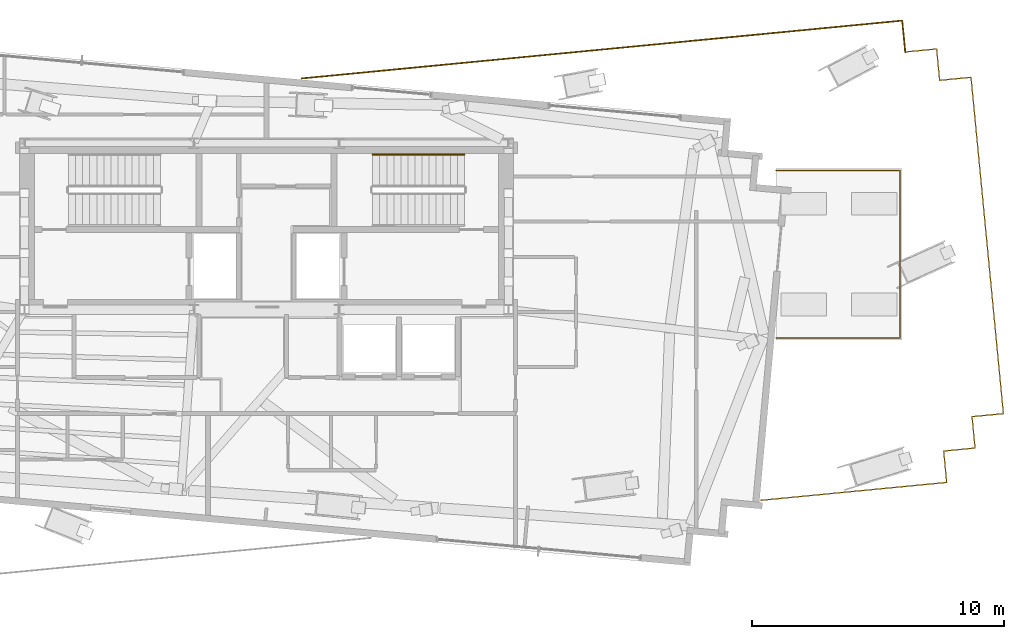
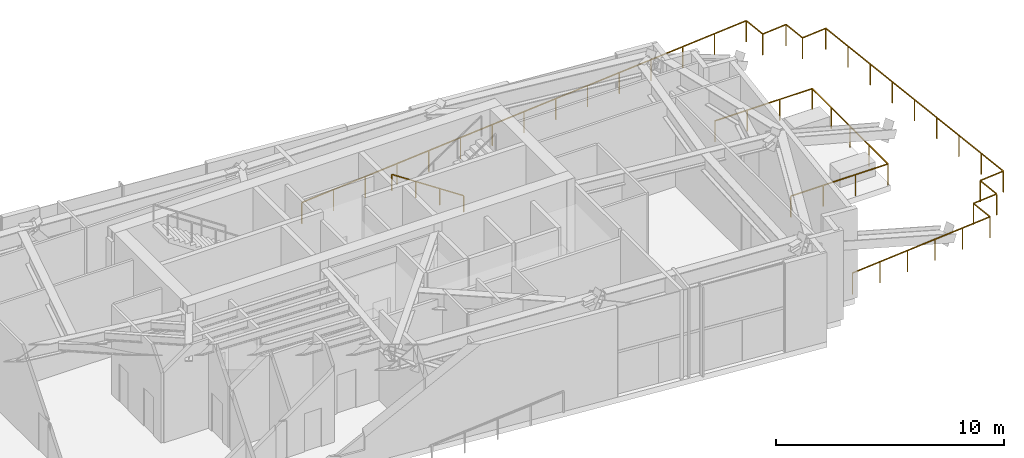
# One storey, part 19 of 20: 4 railings.
"""IFC4 building model written with IfcOpenShell, lengths in metres."""

from ifc_helpers import new_model, si_unit, direction, frame, origin, origin_2d, place, context, subcontext, project, spatial, rectangle, extrude, source, transform, mapped, material, type_object, type_shapes, element, save


model = new_model("IFC4")

# Units and contexts
model_context = context("Model", 3, precision=1e-05, world=origin(), true_north=direction((0.0, 1.0)))
body_context = subcontext(model_context, "Body", "Model", "MODEL_VIEW")
ifc_project = project(units=[si_unit("LENGTHUNIT", "METRE"), si_unit("AREAUNIT", "SQUARE_METRE"), si_unit("VOLUMEUNIT", "CUBIC_METRE"), si_unit("PLANEANGLEUNIT", "RADIAN"), si_unit("MASSUNIT", "GRAM", prefix="KILO")], contexts=[model_context])

# Site, building, storey
site_placement = place(None, origin())
site = spatial("IfcSite", under=ifc_project, at=site_placement, CompositionType="ELEMENT")
building_placement = place(site_placement, origin())
building = spatial("IfcBuilding", under=site, at=building_placement, Name="Astriad Promenade Condominiums", CompositionType="ELEMENT")
storey_placement = place(building_placement, frame((0.0, 0.0, 211.39990234375)))
storey = spatial("IfcBuildingStorey", under=building, at=storey_placement, Name="L61", CompositionType="ELEMENT", Elevation=211.39990234375)

# Railings
ifc_material_1 = material(Name="Anodised Aluminium and Glass Terrace Guardrail", Category="aluminium")
railing_type_1 = type_object("IfcRailingType", Name="GRD-TERR-1150", PredefinedType="GUARDRAIL", material=ifc_material_1)
shared_shape_1 = source(origin(), body_context, "Body", "SweptSolid", [
    extrude(rectangle(XDim=0.048095703125, YDim=0.048095703125, at=origin_2d()), frame((0.0, 0.0, 1.1259765625), z_axis=(0.995392196914, 0.095887300115, 0.0), x_axis=(-0.095887300115, 0.995392196914, 0.0)), (0.0, 0.0, 1.0), 1.250244140625),
    extrude(rectangle(XDim=0.048095703125, YDim=0.048095703125, at=origin_2d()), frame((1.244384765625, 0.119873046875, 1.1259765625), z_axis=(0.095887300115, -0.995392196914, 0.0), x_axis=(0.995392196914, 0.095887300115, 0.0)), (0.0, 0.0, 1.0), 1.250244140625),
    extrude(rectangle(XDim=0.048095703125, YDim=0.048095703125, at=origin_2d()), frame((1.3642578125, -1.12451171875, 1.1259765625), z_axis=(0.995390400822, 0.09590594325, 0.0), x_axis=(-0.09590594325, 0.995390400822, 0.0)), (0.0, 0.0, 1.0), 1.25),
    extrude(rectangle(XDim=0.048095703125, YDim=0.048095703125, at=origin_2d()), frame((2.6083984375, -1.004638671875, 1.1259765625), z_axis=(0.095851964938, -0.99539560016, 0.0), x_axis=(0.99539560016, 0.095851964938, 0.0)), (0.0, 0.0, 1.0), 13.400146484375),
    extrude(rectangle(XDim=0.048095703125, YDim=0.048095703125, at=origin_2d()), frame((3.892822265625, -14.343017578125, 1.1259765625), z_axis=(-0.995392196914, -0.095887300115, 0.0), x_axis=(0.095887300115, -0.995392196914, 0.0)), (0.0, 0.0, 1.0), 1.250244140625),
    extrude(rectangle(XDim=0.048095703125, YDim=0.048095703125, at=origin_2d()), frame((2.6484375, -14.462890625, 1.1259765625), z_axis=(0.09590594325, -0.995390400822, 0.0), x_axis=(0.995390400822, 0.09590594325, 0.0)), (0.0, 0.0, 1.0), 1.25),
    extrude(rectangle(XDim=0.048095703125, YDim=0.048095703125, at=origin_2d()), frame((2.768310546875, -15.70703125, 1.1259765625), z_axis=(-0.995390400822, -0.09590594325, 0.0), x_axis=(0.09590594325, -0.995390400822, 0.0)), (0.0, 0.0, 1.0), 1.25),
    extrude(rectangle(XDim=0.048095703125, YDim=0.048095703125, at=origin_2d()), frame((1.524169921875, -15.826904296875, 1.1259765625), z_axis=(0.095712406644, -0.9954090291, 0.0), x_axis=(0.9954090291, 0.095712406644, 0.0)), (0.0, 0.0, 1.0), 1.25),
    extrude(rectangle(XDim=0.048095703125, YDim=0.048095703125, at=origin_2d()), frame((1.643798828125, -17.071044921875, 1.1259765625), z_axis=(-0.995394461534, -0.095863788513, 0.0), x_axis=(0.095863788513, -0.995394461534, 0.0)), (0.0, 0.0, 1.0), 7.406005859375),
    extrude(rectangle(XDim=0.0419921875, YDim=0.0419921875, at=origin_2d()), origin(), (0.0, 0.0, 1.0), 1.101806640625),
    extrude(rectangle(XDim=0.0419921875, YDim=0.0419921875, at=origin_2d()), frame((1.244384765625, 0.119873046875, 0.0)), (0.0, 0.0, 1.0), 1.101806640625),
    extrude(rectangle(XDim=0.0419921875, YDim=0.0419921875, at=origin_2d()), frame((1.3642578125, -1.12451171875, 0.0)), (0.0, 0.0, 1.0), 1.101806640625),
    extrude(rectangle(XDim=0.0419921875, YDim=0.0419921875, at=origin_2d()), frame((2.6083984375, -1.004638671875, 0.0)), (0.0, 0.0, 1.0), 1.101806640625),
    extrude(rectangle(XDim=0.0419921875, YDim=0.0419921875, at=origin_2d()), frame((2.76904296875, -2.671875, 0.0)), (0.0, 0.0, 1.0), 1.101806640625),
    extrude(rectangle(XDim=0.0419921875, YDim=0.0419921875, at=origin_2d()), frame((2.929443359375, -4.33935546875, 0.0)), (0.0, 0.0, 1.0), 1.101806640625),
    extrude(rectangle(XDim=0.0419921875, YDim=0.0419921875, at=origin_2d()), frame((3.090087890625, -6.006591796875, 0.0)), (0.0, 0.0, 1.0), 1.101806640625),
    extrude(rectangle(XDim=0.0419921875, YDim=0.0419921875, at=origin_2d()), frame((3.25048828125, -7.673828125, 0.0)), (0.0, 0.0, 1.0), 1.101806640625),
    extrude(rectangle(XDim=0.0419921875, YDim=0.0419921875, at=origin_2d()), frame((3.4111328125, -9.341064453125, 0.0)), (0.0, 0.0, 1.0), 1.101806640625),
    extrude(rectangle(XDim=0.0419921875, YDim=0.0419921875, at=origin_2d()), frame((3.57177734375, -11.00830078125, 0.0)), (0.0, 0.0, 1.0), 1.101806640625),
    extrude(rectangle(XDim=0.0419921875, YDim=0.0419921875, at=origin_2d()), frame((3.732177734375, -12.67578125, 0.0)), (0.0, 0.0, 1.0), 1.101806640625),
    extrude(rectangle(XDim=0.0419921875, YDim=0.0419921875, at=origin_2d()), frame((3.892822265625, -14.343017578125, 0.0)), (0.0, 0.0, 1.0), 1.101806640625),
    extrude(rectangle(XDim=0.0419921875, YDim=0.0419921875, at=origin_2d()), frame((2.6484375, -14.462890625, 0.0)), (0.0, 0.0, 1.0), 1.101806640625),
    extrude(rectangle(XDim=0.0419921875, YDim=0.0419921875, at=origin_2d()), frame((2.768310546875, -15.70703125, 0.0)), (0.0, 0.0, 1.0), 1.101806640625),
    extrude(rectangle(XDim=0.0419921875, YDim=0.0419921875, at=origin_2d()), frame((1.524169921875, -15.826904296875, 0.0)), (0.0, 0.0, 1.0), 1.101806640625),
    extrude(rectangle(XDim=0.0419921875, YDim=0.0419921875, at=origin_2d()), frame((1.643798828125, -17.071044921875, 0.0)), (0.0, 0.0, 1.0), 1.101806640625),
    extrude(rectangle(XDim=0.0419921875, YDim=0.0419921875, at=origin_2d()), frame((0.16943359375, -17.213134765625, 0.0)), (0.0, 0.0, 1.0), 1.101806640625),
    extrude(rectangle(XDim=0.0419921875, YDim=0.0419921875, at=origin_2d()), frame((-1.304931640625, -17.35498046875, 0.0)), (0.0, 0.0, 1.0), 1.101806640625),
    extrude(rectangle(XDim=0.0419921875, YDim=0.0419921875, at=origin_2d()), frame((-2.779296875, -17.4970703125, 0.0)), (0.0, 0.0, 1.0), 1.101806640625),
    extrude(rectangle(XDim=0.0419921875, YDim=0.0419921875, at=origin_2d()), frame((-4.253662109375, -17.638916015625, 0.0)), (0.0, 0.0, 1.0), 1.101806640625),
    extrude(rectangle(XDim=0.0419921875, YDim=0.0419921875, at=origin_2d()), frame((-5.72802734375, -17.781005859375, 0.0)), (0.0, 0.0, 1.0), 1.101806640625),
])
railing_1_placement = place(storey_placement, frame((61.33203125, 27.617919921875, 0.0)))
element("IfcRailing", 1, at=railing_1_placement, inside=storey, type_object=railing_type_1, Name="GRD-TSTEP-L61-03", PredefinedType="GUARDRAIL", context=body_context, shape_type="MappedRepresentation", body=[
    mapped(shared_shape_1, transform((0.0, 0.0, 0.0), scale=1.0)),
])
shared_shape_2 = source(origin(), body_context, "Body", "SweptSolid", [
    extrude(rectangle(XDim=0.048095703125, YDim=0.048095703125, at=origin_2d()), frame((0.0, 0.0, 1.1259765625), z_axis=(0.995396570036, 0.095841892514, 0.0), x_axis=(-0.095841892514, 0.995396570036, 0.0)), (0.0, 0.0, 1.0), 23.927001953125),
    extrude(rectangle(XDim=0.048095703125, YDim=0.048095703125, at=origin_2d()), frame((23.81689453125, 2.293212890625, 1.1259765625), z_axis=(0.095712406644, -0.9954090291, 0.0), x_axis=(0.9954090291, 0.095712406644, 0.0)), (0.0, 0.0, 1.0), 1.25),
    extrude(rectangle(XDim=0.0419921875, YDim=0.0419921875, at=origin_2d()), origin(), (0.0, 0.0, 1.0), 1.101806640625),
    extrude(rectangle(XDim=0.0419921875, YDim=0.0419921875, at=origin_2d()), frame((1.701171875, 0.163818359375, 0.0)), (0.0, 0.0, 1.0), 1.101806640625),
    extrude(rectangle(XDim=0.0419921875, YDim=0.0419921875, at=origin_2d()), frame((3.40234375, 0.32763671875, 0.0)), (0.0, 0.0, 1.0), 1.101806640625),
    extrude(rectangle(XDim=0.0419921875, YDim=0.0419921875, at=origin_2d()), frame((5.103515625, 0.491455078125, 0.0)), (0.0, 0.0, 1.0), 1.101806640625),
    extrude(rectangle(XDim=0.0419921875, YDim=0.0419921875, at=origin_2d()), frame((6.804931640625, 0.6552734375, 0.0)), (0.0, 0.0, 1.0), 1.101806640625),
    extrude(rectangle(XDim=0.0419921875, YDim=0.0419921875, at=origin_2d()), frame((8.506103515625, 0.819091796875, 0.0)), (0.0, 0.0, 1.0), 1.101806640625),
    extrude(rectangle(XDim=0.0419921875, YDim=0.0419921875, at=origin_2d()), frame((10.207275390625, 0.98291015625, 0.0)), (0.0, 0.0, 1.0), 1.101806640625),
    extrude(rectangle(XDim=0.0419921875, YDim=0.0419921875, at=origin_2d()), frame((11.908447265625, 1.146484375, 0.0)), (0.0, 0.0, 1.0), 1.101806640625),
    extrude(rectangle(XDim=0.0419921875, YDim=0.0419921875, at=origin_2d()), frame((13.609619140625, 1.310302734375, 0.0)), (0.0, 0.0, 1.0), 1.101806640625),
    extrude(rectangle(XDim=0.0419921875, YDim=0.0419921875, at=origin_2d()), frame((15.310791015625, 1.47412109375, 0.0)), (0.0, 0.0, 1.0), 1.101806640625),
    extrude(rectangle(XDim=0.0419921875, YDim=0.0419921875, at=origin_2d()), frame((17.011962890625, 1.637939453125, 0.0)), (0.0, 0.0, 1.0), 1.101806640625),
    extrude(rectangle(XDim=0.0419921875, YDim=0.0419921875, at=origin_2d()), frame((18.71337890625, 1.8017578125, 0.0)), (0.0, 0.0, 1.0), 1.101806640625),
    extrude(rectangle(XDim=0.0419921875, YDim=0.0419921875, at=origin_2d()), frame((20.41455078125, 1.965576171875, 0.0)), (0.0, 0.0, 1.0), 1.101806640625),
    extrude(rectangle(XDim=0.0419921875, YDim=0.0419921875, at=origin_2d()), frame((22.11572265625, 2.12939453125, 0.0)), (0.0, 0.0, 1.0), 1.101806640625),
    extrude(rectangle(XDim=0.0419921875, YDim=0.0419921875, at=origin_2d()), frame((23.81689453125, 2.293212890625, 0.0)), (0.0, 0.0, 1.0), 1.101806640625),
    extrude(rectangle(XDim=0.0419921875, YDim=0.0419921875, at=origin_2d()), frame((23.9365234375, 1.049072265625, 0.0)), (0.0, 0.0, 1.0), 1.101806640625),
])
railing_2_placement = place(storey_placement, frame((37.3955078125, 26.56884765625, 0.0)))
element("IfcRailing", 2, at=railing_2_placement, inside=storey, type_object=railing_type_1, Name="GRD-TSTEP-L61-04", PredefinedType="GUARDRAIL", context=body_context, shape_type="MappedRepresentation", body=[
    mapped(shared_shape_2, transform((0.0, 0.0, 0.0), scale=1.0)),
])
shared_shape_3 = source(origin(), body_context, "Body", "SweptSolid", [
    extrude(rectangle(XDim=0.048095703125, YDim=0.048095703125, at=origin_2d()), frame((0.0, 0.0, 1.1259765625), z_axis=(1.0, 0.0, 0.0), x_axis=(0.0, 1.0, 0.0)), (0.0, 0.0, 1.0), 4.920166015625),
    extrude(rectangle(XDim=0.048095703125, YDim=0.048095703125, at=origin_2d()), frame((4.920166015625, 0.0, 1.1259765625), z_axis=(0.0, 1.0, 0.0), x_axis=(-1.0, 0.0, 0.0)), (0.0, 0.0, 1.0), 6.639892578125),
    extrude(rectangle(XDim=0.048095703125, YDim=0.048095703125, at=origin_2d()), frame((4.920166015625, 6.639892578125, 1.1259765625), z_axis=(-1.0, 0.0, 0.0), x_axis=(0.0, -1.0, 0.0)), (0.0, 0.0, 1.0), 4.920166015625),
    extrude(rectangle(XDim=0.0419921875, YDim=0.0419921875, at=origin_2d()), origin(), (0.0, 0.0, 1.0), 1.101806640625),
    extrude(rectangle(XDim=0.0419921875, YDim=0.0419921875, at=origin_2d()), frame((1.64013671875, 0.0, 0.0)), (0.0, 0.0, 1.0), 1.101806640625),
    extrude(rectangle(XDim=0.0419921875, YDim=0.0419921875, at=origin_2d()), frame((3.280029296875, 0.0, 0.0)), (0.0, 0.0, 1.0), 1.101806640625),
    extrude(rectangle(XDim=0.0419921875, YDim=0.0419921875, at=origin_2d()), frame((4.920166015625, 0.0, 0.0)), (0.0, 0.0, 1.0), 1.101806640625),
    extrude(rectangle(XDim=0.0419921875, YDim=0.0419921875, at=origin_2d()), frame((4.920166015625, 1.659912109375, 0.0)), (0.0, 0.0, 1.0), 1.101806640625),
    extrude(rectangle(XDim=0.0419921875, YDim=0.0419921875, at=origin_2d()), frame((4.920166015625, 3.31982421875, 0.0)), (0.0, 0.0, 1.0), 1.101806640625),
    extrude(rectangle(XDim=0.0419921875, YDim=0.0419921875, at=origin_2d()), frame((4.920166015625, 4.97998046875, 0.0)), (0.0, 0.0, 1.0), 1.101806640625),
    extrude(rectangle(XDim=0.0419921875, YDim=0.0419921875, at=origin_2d()), frame((4.920166015625, 6.639892578125, 0.0)), (0.0, 0.0, 1.0), 1.101806640625),
    extrude(rectangle(XDim=0.0419921875, YDim=0.0419921875, at=origin_2d()), frame((3.280029296875, 6.639892578125, 0.0)), (0.0, 0.0, 1.0), 1.101806640625),
    extrude(rectangle(XDim=0.0419921875, YDim=0.0419921875, at=origin_2d()), frame((1.64013671875, 6.639892578125, 0.0)), (0.0, 0.0, 1.0), 1.101806640625),
    extrude(rectangle(XDim=0.0419921875, YDim=0.0419921875, at=origin_2d()), frame((0.0, 6.639892578125, 0.0)), (0.0, 0.0, 1.0), 1.101806640625),
])
type_shapes(railing_type_1, [shared_shape_1, shared_shape_2, shared_shape_3])
railing_3_placement = place(storey_placement, frame((56.199951171875, 16.280029296875, 0.0)))
element("IfcRailing", 3, at=railing_3_placement, inside=storey, type_object=railing_type_1, Name="GRD-SG-L61", PredefinedType="GUARDRAIL", context=body_context, shape_type="MappedRepresentation", body=[
    mapped(shared_shape_3, transform((0.0, 0.0, 0.0), scale=1.0)),
])
ifc_material_2 = material(Name="Brushed Stainless Steel Handrail", Category="steel")
railing_type_2 = type_object("IfcRailingType", Name="HRL-STAIR-920", PredefinedType="HANDRAIL", material=ifc_material_2)
shared_shape_4 = source(origin(), body_context, "Body", "SweptSolid", [
    extrude(rectangle(XDim=0.048095703125, YDim=0.048095703125, at=origin_2d()), frame((0.0, 0.0, 0.8759765625), z_axis=(-0.833363587613, 0.0, 0.552725185641), x_axis=(0.0, -1.0, 0.0)), (0.0, 0.0, 1.0), 4.367919921875),
    extrude(rectangle(XDim=0.0419921875, YDim=0.0419921875, at=origin_2d()), origin(), (0.0, 0.0, 1.0), 0.851806640625),
    extrude(rectangle(XDim=0.0419921875, YDim=0.0419921875, at=origin_2d()), frame((-1.21337890625, 0.0, 0.8046875)), (0.0, 0.0, 1.0), 0.851806640625),
    extrude(rectangle(XDim=0.0419921875, YDim=0.0419921875, at=origin_2d()), frame((-2.4267578125, 0.0, 1.609619140625)), (0.0, 0.0, 1.0), 0.851806640625),
    extrude(rectangle(XDim=0.0419921875, YDim=0.0419921875, at=origin_2d()), frame((-3.64013671875, 0.0, 2.414306640625)), (0.0, 0.0, 1.0), 0.851806640625),
])
type_shapes(railing_type_2, [shared_shape_4])
railing_4_placement = place(storey_placement, frame((43.85009765625, 23.550048828125, 0.185791015625)))
element("IfcRailing", 4, at=railing_4_placement, inside=storey, type_object=railing_type_2, Name="L61 ST-2 stair handrail 1", PredefinedType="HANDRAIL", context=body_context, shape_type="MappedRepresentation", body=[
    mapped(shared_shape_4, transform((0.0, 0.0, 0.0), scale=1.0)),
])

save(model, "model.ifc")
